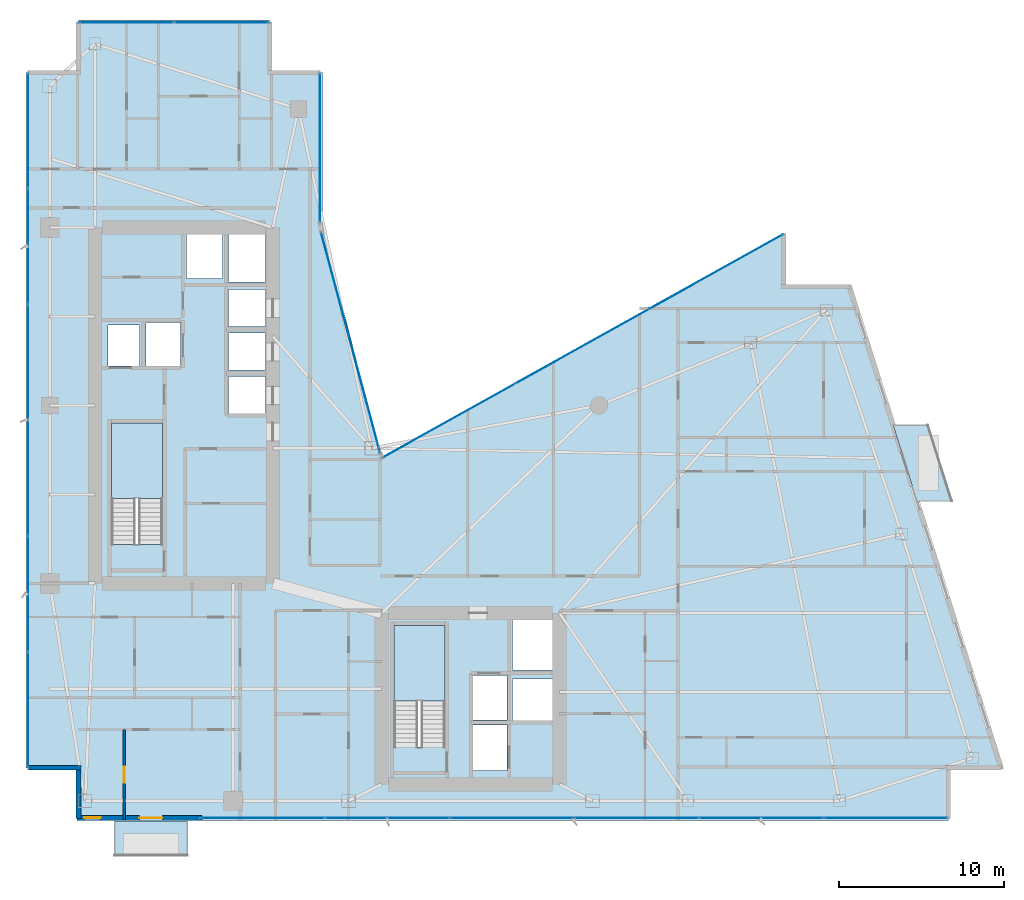
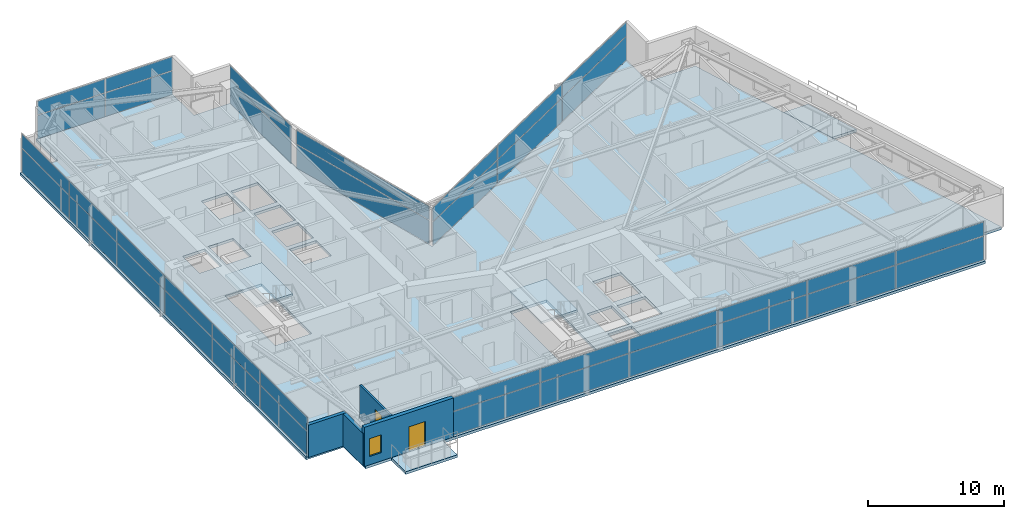
# One storey, part 21 of 28: 38 plates, 5 slabs, 4 walls, 2 doors, 1 window, 3 openings, 8 elements without a shape of their own.
"""IFC4 building model written with IfcOpenShell, lengths in metres."""

from ifc_helpers import new_model, si_unit, direction, frame, frame_2d, origin, origin_2d, place, context, subcontext, project, spatial, polyline, rectangle, outline, extrude, material, layer, layer_set, type_object, element, fill, aggregate, save


model = new_model("IFC4")

# Units and contexts
model_context = context("Model", 3, precision=1e-05, world=origin(), true_north=direction((0.0, 1.0)))
body_context = subcontext(model_context, "Body", "Model", "MODEL_VIEW")
ifc_project = project(units=[si_unit("LENGTHUNIT", "METRE"), si_unit("AREAUNIT", "SQUARE_METRE"), si_unit("VOLUMEUNIT", "CUBIC_METRE"), si_unit("PLANEANGLEUNIT", "RADIAN"), si_unit("MASSUNIT", "GRAM", prefix="KILO")], contexts=[model_context])

# Site, building, storey
site_placement = place(None, origin())
site = spatial("IfcSite", under=ifc_project, at=site_placement, CompositionType="ELEMENT")
building_placement = place(site_placement, origin())
building = spatial("IfcBuilding", under=site, at=building_placement, Name="Calvorn Quay Hotel", CompositionType="ELEMENT")
storey_placement = place(building_placement, frame((0.0, 0.0, 182.699951171875)))
storey = spatial("IfcBuildingStorey", under=building, at=storey_placement, Name="L45", CompositionType="ELEMENT", Elevation=182.699951171875)

# Curtain wall, plates
ifc_material_1 = material(Name="Pale Anodised Aluminium and Low-E Glass", Category="aluminium")
ifc_layer_1 = layer(ifc_material_1, 0.219970703125)
ifc_layer_set_1 = layer_set([ifc_layer_1], Name="CW-SYS-Z2")
curtain_wall_type = type_object("IfcCurtainWallType", Name="CW-SYS-Z2", PredefinedType="NOTDEFINED", material=ifc_layer_set_1)
curtain_wall_1_placement = place(storey_placement, origin())
curtain_wall_1 = element("IfcCurtainWall", 1, at=curtain_wall_1_placement, inside=storey, type_object=curtain_wall_type, Name="Tower West Curtain Wall (L45)", PredefinedType="NOTDEFINED")
ifc_material_2 = material(Name="Low-E Laminated Double Glazing", Category="glass")
ifc_layer_2 = layer(ifc_material_2, 0.028076171875)
ifc_layer_set_2 = layer_set([ifc_layer_2], Name="CW-SYS-Z2-PAN")
plate_type = type_object("IfcPlateType", Name="CW-SYS-Z2-PAN", PredefinedType="CURTAIN_PANEL", material=ifc_layer_set_2)
plate_1_placement = place(storey_placement, frame((0.14990234375, 9.131591796875, 0.06005859375), z_axis=(0.0, 0.0, 1.0), x_axis=(0.0, 1.0, 0.0)))
plate_1 = element("IfcPlate", 2, at=plate_1_placement, type_object=plate_type, Name="CW-L45-W panel 1.1", PredefinedType="CURTAIN_PANEL", context=body_context, shape_type="SweptSolid", body=[
    extrude(rectangle(XDim=6.943359375, YDim=0.028076171875, at=origin_2d()), origin(), (0.0, 0.0, 1.0), 2.110107421875),
])
plate_2_placement = place(storey_placement, frame((0.14990234375, 9.131591796875, 2.22998046875), z_axis=(0.0, 0.0, 1.0), x_axis=(0.0, 1.0, 0.0)))
plate_2 = element("IfcPlate", 3, at=plate_2_placement, type_object=plate_type, Name="CW-L45-W panel 1.2", PredefinedType="CURTAIN_PANEL", context=body_context, shape_type="SweptSolid", body=[
    extrude(rectangle(XDim=6.943359375, YDim=0.028076171875, at=origin_2d()), origin(), (0.0, 0.0, 1.0), 1.22998046875),
])
plate_3_placement = place(storey_placement, frame((0.14990234375, 16.14990234375, 0.06005859375), z_axis=(0.0, 0.0, 1.0), x_axis=(0.0, 1.0, 0.0)))
plate_3 = element("IfcPlate", 4, at=plate_3_placement, type_object=plate_type, Name="CW-L45-W panel 2.1", PredefinedType="CURTAIN_PANEL", context=body_context, shape_type="SweptSolid", body=[
    extrude(rectangle(XDim=6.973388671875, YDim=0.028076171875, at=origin_2d()), origin(), (0.0, 0.0, 1.0), 2.110107421875),
])
plate_4_placement = place(storey_placement, frame((0.14990234375, 16.14990234375, 2.22998046875), z_axis=(0.0, 0.0, 1.0), x_axis=(0.0, 1.0, 0.0)))
plate_4 = element("IfcPlate", 5, at=plate_4_placement, type_object=plate_type, Name="CW-L45-W panel 2.2", PredefinedType="CURTAIN_PANEL", context=body_context, shape_type="SweptSolid", body=[
    extrude(rectangle(XDim=6.973388671875, YDim=0.028076171875, at=origin_2d()), origin(), (0.0, 0.0, 1.0), 1.22998046875),
])
plate_5_placement = place(storey_placement, frame((0.14990234375, 23.183349609375, 0.06005859375), z_axis=(0.0, 0.0, 1.0), x_axis=(0.0, 1.0, 0.0)))
plate_5 = element("IfcPlate", 6, at=plate_5_placement, type_object=plate_type, Name="CW-L45-W panel 3.1", PredefinedType="CURTAIN_PANEL", context=body_context, shape_type="SweptSolid", body=[
    extrude(rectangle(XDim=6.973388671875, YDim=0.028076171875, at=origin_2d()), origin(), (0.0, 0.0, 1.0), 2.110107421875),
])
plate_6_placement = place(storey_placement, frame((0.14990234375, 23.183349609375, 2.22998046875), z_axis=(0.0, 0.0, 1.0), x_axis=(0.0, 1.0, 0.0)))
plate_6 = element("IfcPlate", 7, at=plate_6_placement, type_object=plate_type, Name="CW-L45-W panel 3.2", PredefinedType="CURTAIN_PANEL", context=body_context, shape_type="SweptSolid", body=[
    extrude(rectangle(XDim=6.973388671875, YDim=0.028076171875, at=origin_2d()), origin(), (0.0, 0.0, 1.0), 1.22998046875),
])
plate_7_placement = place(storey_placement, frame((0.14990234375, 30.216552734375, 0.06005859375), z_axis=(0.0, 0.0, 1.0), x_axis=(0.0, 1.0, 0.0)))
plate_7 = element("IfcPlate", 8, at=plate_7_placement, type_object=plate_type, Name="CW-L45-W panel 4.1", PredefinedType="CURTAIN_PANEL", context=body_context, shape_type="SweptSolid", body=[
    extrude(rectangle(XDim=6.973388671875, YDim=0.028076171875, at=origin_2d()), origin(), (0.0, 0.0, 1.0), 2.110107421875),
])
plate_8_placement = place(storey_placement, frame((0.14990234375, 30.216552734375, 2.22998046875), z_axis=(0.0, 0.0, 1.0), x_axis=(0.0, 1.0, 0.0)))
plate_8 = element("IfcPlate", 9, at=plate_8_placement, type_object=plate_type, Name="CW-L45-W panel 4.2", PredefinedType="CURTAIN_PANEL", context=body_context, shape_type="SweptSolid", body=[
    extrude(rectangle(XDim=6.973388671875, YDim=0.028076171875, at=origin_2d()), origin(), (0.0, 0.0, 1.0), 1.22998046875),
])
plate_9_placement = place(storey_placement, frame((0.14990234375, 37.25, 0.06005859375), z_axis=(0.0, 0.0, 1.0), x_axis=(0.0, 1.0, 0.0)))
plate_9 = element("IfcPlate", 10, at=plate_9_placement, type_object=plate_type, Name="CW-L45-W panel 5.1", PredefinedType="CURTAIN_PANEL", context=body_context, shape_type="SweptSolid", body=[
    extrude(rectangle(XDim=6.973388671875, YDim=0.028076171875, at=origin_2d()), origin(), (0.0, 0.0, 1.0), 2.110107421875),
])
plate_10_placement = place(storey_placement, frame((0.14990234375, 37.25, 2.22998046875), z_axis=(0.0, 0.0, 1.0), x_axis=(0.0, 1.0, 0.0)))
plate_10 = element("IfcPlate", 11, at=plate_10_placement, type_object=plate_type, Name="CW-L45-W panel 5.2", PredefinedType="CURTAIN_PANEL", context=body_context, shape_type="SweptSolid", body=[
    extrude(rectangle(XDim=6.973388671875, YDim=0.028076171875, at=origin_2d()), origin(), (0.0, 0.0, 1.0), 1.22998046875),
])
plate_11_placement = place(storey_placement, frame((0.14990234375, 44.268310546875, 0.06005859375), z_axis=(0.0, 0.0, 1.0), x_axis=(0.0, 1.0, 0.0)))
plate_11 = element("IfcPlate", 12, at=plate_11_placement, type_object=plate_type, Name="CW-L45-W panel 6.1", PredefinedType="CURTAIN_PANEL", context=body_context, shape_type="SweptSolid", body=[
    extrude(rectangle(XDim=6.943359375, YDim=0.028076171875, at=origin_2d()), origin(), (0.0, 0.0, 1.0), 2.110107421875),
])
plate_12_placement = place(storey_placement, frame((0.14990234375, 44.268310546875, 2.22998046875), z_axis=(0.0, 0.0, 1.0), x_axis=(0.0, 1.0, 0.0)))
plate_12 = element("IfcPlate", 13, at=plate_12_placement, type_object=plate_type, Name="CW-L45-W panel 6.2", PredefinedType="CURTAIN_PANEL", context=body_context, shape_type="SweptSolid", body=[
    extrude(rectangle(XDim=6.943359375, YDim=0.028076171875, at=origin_2d()), origin(), (0.0, 0.0, 1.0), 1.22998046875),
])
aggregate(curtain_wall_1, [plate_1, plate_2, plate_3, plate_4, plate_5, plate_6, plate_7, plate_8, plate_9, plate_10, plate_11, plate_12])

curtain_wall_2_placement = place(storey_placement, origin())
curtain_wall_2 = element("IfcCurtainWall", 14, at=curtain_wall_2_placement, inside=storey, type_object=curtain_wall_type, Name="Tower South Waterfront Curtain Wall (L45)", PredefinedType="NOTDEFINED")
plate_13_placement = place(storey_placement, frame((14.3984375, 2.550048828125, 0.06005859375), z_axis=(0.0, 0.0, 1.0), x_axis=(1.0, 0.0, 0.0)))
plate_13 = element("IfcPlate", 15, at=plate_13_placement, type_object=plate_type, Name="CW-L45-S panel 1.1", PredefinedType="CURTAIN_PANEL", context=body_context, shape_type="SweptSolid", body=[
    extrude(rectangle(XDim=7.4765625, YDim=0.028076171875, at=origin_2d()), origin(), (0.0, 0.0, 1.0), 2.110107421875),
])
plate_14_placement = place(storey_placement, frame((14.3984375, 2.550048828125, 2.22998046875), z_axis=(0.0, 0.0, 1.0), x_axis=(1.0, 0.0, 0.0)))
plate_14 = element("IfcPlate", 16, at=plate_14_placement, type_object=plate_type, Name="CW-L45-S panel 1.2", PredefinedType="CURTAIN_PANEL", context=body_context, shape_type="SweptSolid", body=[
    extrude(rectangle(XDim=7.4765625, YDim=0.028076171875, at=origin_2d()), origin(), (0.0, 0.0, 1.0), 1.22998046875),
])
plate_15_placement = place(storey_placement, frame((21.949951171875, 2.550048828125, 0.06005859375), z_axis=(0.0, 0.0, 1.0), x_axis=(1.0, 0.0, 0.0)))
plate_15 = element("IfcPlate", 17, at=plate_15_placement, type_object=plate_type, Name="CW-L45-S panel 2.1", PredefinedType="CURTAIN_PANEL", context=body_context, shape_type="SweptSolid", body=[
    extrude(rectangle(XDim=7.506591796875, YDim=0.028076171875, at=origin_2d()), origin(), (0.0, 0.0, 1.0), 2.110107421875),
])
plate_16_placement = place(storey_placement, frame((21.949951171875, 2.550048828125, 2.22998046875), z_axis=(0.0, 0.0, 1.0), x_axis=(1.0, 0.0, 0.0)))
plate_16 = element("IfcPlate", 18, at=plate_16_placement, type_object=plate_type, Name="CW-L45-S panel 2.2", PredefinedType="CURTAIN_PANEL", context=body_context, shape_type="SweptSolid", body=[
    extrude(rectangle(XDim=7.506591796875, YDim=0.028076171875, at=origin_2d()), origin(), (0.0, 0.0, 1.0), 1.22998046875),
])
plate_17_placement = place(storey_placement, frame((29.5166015625, 2.550048828125, 0.06005859375), z_axis=(0.0, 0.0, 1.0), x_axis=(1.0, 0.0, 0.0)))
plate_17 = element("IfcPlate", 19, at=plate_17_placement, type_object=plate_type, Name="CW-L45-S panel 3.1", PredefinedType="CURTAIN_PANEL", context=body_context, shape_type="SweptSolid", body=[
    extrude(rectangle(XDim=7.506591796875, YDim=0.028076171875, at=origin_2d()), origin(), (0.0, 0.0, 1.0), 2.110107421875),
])
plate_18_placement = place(storey_placement, frame((29.5166015625, 2.550048828125, 2.22998046875), z_axis=(0.0, 0.0, 1.0), x_axis=(1.0, 0.0, 0.0)))
plate_18 = element("IfcPlate", 20, at=plate_18_placement, type_object=plate_type, Name="CW-L45-S panel 3.2", PredefinedType="CURTAIN_PANEL", context=body_context, shape_type="SweptSolid", body=[
    extrude(rectangle(XDim=7.506591796875, YDim=0.028076171875, at=origin_2d()), origin(), (0.0, 0.0, 1.0), 1.22998046875),
])
plate_19_placement = place(storey_placement, frame((37.083251953125, 2.550048828125, 0.06005859375), z_axis=(0.0, 0.0, 1.0), x_axis=(1.0, 0.0, 0.0)))
plate_19 = element("IfcPlate", 21, at=plate_19_placement, type_object=plate_type, Name="CW-L45-S panel 4.1", PredefinedType="CURTAIN_PANEL", context=body_context, shape_type="SweptSolid", body=[
    extrude(rectangle(XDim=7.506591796875, YDim=0.028076171875, at=origin_2d()), origin(), (0.0, 0.0, 1.0), 2.110107421875),
])
plate_20_placement = place(storey_placement, frame((37.083251953125, 2.550048828125, 2.22998046875), z_axis=(0.0, 0.0, 1.0), x_axis=(1.0, 0.0, 0.0)))
plate_20 = element("IfcPlate", 22, at=plate_20_placement, type_object=plate_type, Name="CW-L45-S panel 4.2", PredefinedType="CURTAIN_PANEL", context=body_context, shape_type="SweptSolid", body=[
    extrude(rectangle(XDim=7.506591796875, YDim=0.028076171875, at=origin_2d()), origin(), (0.0, 0.0, 1.0), 1.22998046875),
])
plate_21_placement = place(storey_placement, frame((44.64990234375, 2.550048828125, 0.06005859375), z_axis=(0.0, 0.0, 1.0), x_axis=(1.0, 0.0, 0.0)))
plate_21 = element("IfcPlate", 23, at=plate_21_placement, type_object=plate_type, Name="CW-L45-S panel 5.1", PredefinedType="CURTAIN_PANEL", context=body_context, shape_type="SweptSolid", body=[
    extrude(rectangle(XDim=7.506591796875, YDim=0.028076171875, at=origin_2d()), origin(), (0.0, 0.0, 1.0), 2.110107421875),
])
plate_22_placement = place(storey_placement, frame((44.64990234375, 2.550048828125, 2.22998046875), z_axis=(0.0, 0.0, 1.0), x_axis=(1.0, 0.0, 0.0)))
plate_22 = element("IfcPlate", 24, at=plate_22_placement, type_object=plate_type, Name="CW-L45-S panel 5.2", PredefinedType="CURTAIN_PANEL", context=body_context, shape_type="SweptSolid", body=[
    extrude(rectangle(XDim=7.506591796875, YDim=0.028076171875, at=origin_2d()), origin(), (0.0, 0.0, 1.0), 1.22998046875),
])
plate_23_placement = place(storey_placement, frame((52.20166015625, 2.550048828125, 0.06005859375), z_axis=(0.0, 0.0, 1.0), x_axis=(1.0, 0.0, 0.0)))
plate_23 = element("IfcPlate", 25, at=plate_23_placement, type_object=plate_type, Name="CW-L45-S panel 6.1", PredefinedType="CURTAIN_PANEL", context=body_context, shape_type="SweptSolid", body=[
    extrude(rectangle(XDim=7.4765625, YDim=0.028076171875, at=origin_2d()), origin(), (0.0, 0.0, 1.0), 2.110107421875),
])
plate_24_placement = place(storey_placement, frame((52.20166015625, 2.550048828125, 2.22998046875), z_axis=(0.0, 0.0, 1.0), x_axis=(1.0, 0.0, 0.0)))
plate_24 = element("IfcPlate", 26, at=plate_24_placement, type_object=plate_type, Name="CW-L45-S panel 6.2", PredefinedType="CURTAIN_PANEL", context=body_context, shape_type="SweptSolid", body=[
    extrude(rectangle(XDim=7.4765625, YDim=0.028076171875, at=origin_2d()), origin(), (0.0, 0.0, 1.0), 1.22998046875),
])
aggregate(curtain_wall_2, [plate_13, plate_14, plate_15, plate_16, plate_17, plate_18, plate_19, plate_20, plate_21, plate_22, plate_23, plate_24])

curtain_wall_3_placement = place(storey_placement, origin())
curtain_wall_3 = element("IfcCurtainWall", 27, at=curtain_wall_3_placement, inside=storey, type_object=curtain_wall_type, Name="Inner Court Curtain Wall L45-NE1", PredefinedType="NOTDEFINED")
plate_25_placement = place(storey_placement, frame((41.920166015625, 35.72607421875, 0.06005859375), z_axis=(0.0, 0.0, 1.0), x_axis=(-0.873480989116, -0.486858256224, 0.0)))
plate_25 = element("IfcPlate", 28, at=plate_25_placement, type_object=plate_type, Name="CW-L45-NE1 panel 1.1", PredefinedType="CURTAIN_PANEL", context=body_context, shape_type="SweptSolid", body=[
    extrude(rectangle(XDim=9.221435546875, YDim=0.028076171875, at=origin_2d()), origin(), (0.0, 0.0, 1.0), 2.110107421875),
])
plate_26_placement = place(storey_placement, frame((41.920166015625, 35.72607421875, 2.22998046875), z_axis=(0.0, 0.0, 1.0), x_axis=(-0.873480989116, -0.486858256224, 0.0)))
plate_26 = element("IfcPlate", 29, at=plate_26_placement, type_object=plate_type, Name="CW-L45-NE1 panel 1.2", PredefinedType="CURTAIN_PANEL", context=body_context, shape_type="SweptSolid", body=[
    extrude(rectangle(XDim=9.221435546875, YDim=0.028076171875, at=origin_2d()), origin(), (0.0, 0.0, 1.0), 1.22998046875),
])
plate_27_placement = place(storey_placement, frame((33.800048828125, 31.199951171875, 0.06005859375), z_axis=(0.0, 0.0, 1.0), x_axis=(-0.873480989116, -0.486858256224, 0.0)))
plate_27 = element("IfcPlate", 30, at=plate_27_placement, type_object=plate_type, Name="CW-L45-NE1 panel 2.1", PredefinedType="CURTAIN_PANEL", context=body_context, shape_type="SweptSolid", body=[
    extrude(rectangle(XDim=9.25146484375, YDim=0.028076171875, at=origin_2d()), origin(), (0.0, 0.0, 1.0), 2.110107421875),
])
plate_28_placement = place(storey_placement, frame((33.800048828125, 31.199951171875, 2.22998046875), z_axis=(0.0, 0.0, 1.0), x_axis=(-0.873480989116, -0.486858256224, 0.0)))
plate_28 = element("IfcPlate", 31, at=plate_28_placement, type_object=plate_type, Name="CW-L45-NE1 panel 2.2", PredefinedType="CURTAIN_PANEL", context=body_context, shape_type="SweptSolid", body=[
    extrude(rectangle(XDim=9.25146484375, YDim=0.028076171875, at=origin_2d()), origin(), (0.0, 0.0, 1.0), 1.22998046875),
])
plate_29_placement = place(storey_placement, frame((25.6796875, 26.674072265625, 0.06005859375), z_axis=(0.0, 0.0, 1.0), x_axis=(-0.873480989116, -0.486858256224, 0.0)))
plate_29 = element("IfcPlate", 32, at=plate_29_placement, type_object=plate_type, Name="CW-L45-NE1 panel 3.1", PredefinedType="CURTAIN_PANEL", context=body_context, shape_type="SweptSolid", body=[
    extrude(rectangle(XDim=9.221435546875, YDim=0.028076171875, at=origin_2d()), origin(), (0.0, 0.0, 1.0), 2.110107421875),
])
plate_30_placement = place(storey_placement, frame((25.6796875, 26.674072265625, 2.22998046875), z_axis=(0.0, 0.0, 1.0), x_axis=(-0.873480989116, -0.486858256224, 0.0)))
plate_30 = element("IfcPlate", 33, at=plate_30_placement, type_object=plate_type, Name="CW-L45-NE1 panel 3.2", PredefinedType="CURTAIN_PANEL", context=body_context, shape_type="SweptSolid", body=[
    extrude(rectangle(XDim=9.221435546875, YDim=0.028076171875, at=origin_2d()), origin(), (0.0, 0.0, 1.0), 1.22998046875),
])
aggregate(curtain_wall_3, [plate_25, plate_26, plate_27, plate_28, plate_29, plate_30])

curtain_wall_4_placement = place(storey_placement, origin())
curtain_wall_4 = element("IfcCurtainWall", 34, at=curtain_wall_4_placement, inside=storey, type_object=curtain_wall_type, Name="Inner Court Curtain Wall L45-IC1", PredefinedType="NOTDEFINED")
plate_31_placement = place(storey_placement, frame((19.72509765625, 31.39990234375, 0.06005859375), z_axis=(0.0, 0.0, 1.0), x_axis=(-0.25877913024, 0.96593652056, 0.0)))
plate_31 = element("IfcPlate", 35, at=plate_31_placement, type_object=plate_type, Name="CW-L45-IC1 panel 1.1", PredefinedType="CURTAIN_PANEL", context=body_context, shape_type="SweptSolid", body=[
    extrude(rectangle(XDim=13.814697265625, YDim=0.028076171875, at=origin_2d()), origin(), (0.0, 0.0, 1.0), 2.110107421875),
])
plate_32_placement = place(storey_placement, frame((19.72509765625, 31.39990234375, 2.22998046875), z_axis=(0.0, 0.0, 1.0), x_axis=(-0.25877913024, 0.96593652056, 0.0)))
plate_32 = element("IfcPlate", 36, at=plate_32_placement, type_object=plate_type, Name="CW-L45-IC1 panel 1.2", PredefinedType="CURTAIN_PANEL", context=body_context, shape_type="SweptSolid", body=[
    extrude(rectangle(XDim=13.814697265625, YDim=0.028076171875, at=origin_2d()), origin(), (0.0, 0.0, 1.0), 1.22998046875),
])
aggregate(curtain_wall_4, [plate_31, plate_32])

curtain_wall_5_placement = place(storey_placement, origin())
curtain_wall_5 = element("IfcCurtainWall", 37, at=curtain_wall_5_placement, inside=storey, type_object=curtain_wall_type, Name="Inner Court Curtain Wall L45-IC2", PredefinedType="NOTDEFINED")
plate_33_placement = place(storey_placement, frame((17.85009765625, 43.239990234375, 0.06005859375), z_axis=(0.0, 0.0, 1.0), x_axis=(0.0, 1.0, 0.0)))
plate_33 = element("IfcPlate", 38, at=plate_33_placement, type_object=plate_type, Name="CW-L45-IC2 panel 1.1", PredefinedType="CURTAIN_PANEL", context=body_context, shape_type="SweptSolid", body=[
    extrude(rectangle(XDim=9.0, YDim=0.028076171875, at=origin_2d()), origin(), (0.0, 0.0, 1.0), 2.110107421875),
])
plate_34_placement = place(storey_placement, frame((17.85009765625, 43.239990234375, 2.22998046875), z_axis=(0.0, 0.0, 1.0), x_axis=(0.0, 1.0, 0.0)))
plate_34 = element("IfcPlate", 39, at=plate_34_placement, type_object=plate_type, Name="CW-L45-IC2 panel 1.2", PredefinedType="CURTAIN_PANEL", context=body_context, shape_type="SweptSolid", body=[
    extrude(rectangle(XDim=9.0, YDim=0.028076171875, at=origin_2d()), origin(), (0.0, 0.0, 1.0), 1.22998046875),
])
aggregate(curtain_wall_5, [plate_33, plate_34])

curtain_wall_6_placement = place(storey_placement, origin())
curtain_wall_6 = element("IfcCurtainWall", 40, at=curtain_wall_6_placement, inside=storey, type_object=curtain_wall_type, Name="Inner Court Curtain Wall L45-N1", PredefinedType="NOTDEFINED")
plate_35_placement = place(storey_placement, frame((11.885009765625, 50.85009765625, 0.06005859375), z_axis=(0.0, 0.0, 1.0), x_axis=(-1.0, 0.0, 0.0)))
plate_35 = element("IfcPlate", 41, at=plate_35_placement, type_object=plate_type, Name="CW-L45-N1 panel 1.1", PredefinedType="CURTAIN_PANEL", context=body_context, shape_type="SweptSolid", body=[
    extrude(rectangle(XDim=5.7099609375, YDim=0.028076171875, at=origin_2d()), origin(), (0.0, 0.0, 1.0), 2.110107421875),
])
plate_36_placement = place(storey_placement, frame((11.885009765625, 50.85009765625, 2.22998046875), z_axis=(0.0, 0.0, 1.0), x_axis=(-1.0, 0.0, 0.0)))
plate_36 = element("IfcPlate", 42, at=plate_36_placement, type_object=plate_type, Name="CW-L45-N1 panel 1.2", PredefinedType="CURTAIN_PANEL", context=body_context, shape_type="SweptSolid", body=[
    extrude(rectangle(XDim=5.7099609375, YDim=0.028076171875, at=origin_2d()), origin(), (0.0, 0.0, 1.0), 1.22998046875),
])
plate_37_placement = place(storey_placement, frame((6.114990234375, 50.85009765625, 0.06005859375), z_axis=(0.0, 0.0, 1.0), x_axis=(-1.0, 0.0, 0.0)))
plate_37 = element("IfcPlate", 43, at=plate_37_placement, type_object=plate_type, Name="CW-L45-N1 panel 2.1", PredefinedType="CURTAIN_PANEL", context=body_context, shape_type="SweptSolid", body=[
    extrude(rectangle(XDim=5.7099609375, YDim=0.028076171875, at=origin_2d()), origin(), (0.0, 0.0, 1.0), 2.110107421875),
])
plate_38_placement = place(storey_placement, frame((6.114990234375, 50.85009765625, 2.22998046875), z_axis=(0.0, 0.0, 1.0), x_axis=(-1.0, 0.0, 0.0)))
plate_38 = element("IfcPlate", 44, at=plate_38_placement, type_object=plate_type, Name="CW-L45-N1 panel 2.2", PredefinedType="CURTAIN_PANEL", context=body_context, shape_type="SweptSolid", body=[
    extrude(rectangle(XDim=5.7099609375, YDim=0.028076171875, at=origin_2d()), origin(), (0.0, 0.0, 1.0), 1.22998046875),
])
aggregate(curtain_wall_6, [plate_35, plate_36, plate_37, plate_38])

# Slabs
ifc_material_3 = material(Name="Concrete C40", Category="concrete")
ifc_layer_3 = layer(ifc_material_3, 0.239990234375)
ifc_layer_set_3 = layer_set([ifc_layer_3], Name="SLB-BALCONY-220")
slab_type_1 = type_object("IfcSlabType", Name="SLB-BALCONY-220", PredefinedType="FLOOR", material=ifc_layer_set_3)
slab_1_placement = place(storey_placement, frame((0.0, 0.0, -0.239990234375)))
element("IfcSlab", 45, at=slab_1_placement, inside=storey, type_object=slab_type_1, Name="Tree Balcony Slab L45-BALC-E", PredefinedType="FLOOR", context=body_context, shape_type="SweptSolid", body=[
    extrude(outline(polyline([(54.10595703125, 21.800048828125), (56.2060546875, 21.800048828125), (54.757080078125, 26.39990234375), (52.656982421875, 26.39990234375), (54.10595703125, 21.800048828125)])), origin(), (0.0, 0.0, 1.0), 0.239990234375),
])
slab_2_placement = place(storey_placement, frame((0.0, 0.0, -0.239990234375)))
element("IfcSlab", 46, at=slab_2_placement, inside=storey, type_object=slab_type_1, Name="Tree Balcony Slab L45-BALC-S", PredefinedType="FLOOR", context=body_context, shape_type="SweptSolid", body=[
    extrude(outline(polyline([(5.39990234375, 0.2900390625), (9.800048828125, 0.2900390625), (9.800048828125, 2.389892578125), (5.39990234375, 2.389892578125), (5.39990234375, 0.2900390625)])), origin(), (0.0, 0.0, 1.0), 0.239990234375),
])

# Stair, slab
ifc_material_4 = material(Name="Concrete C40", Category="concrete")
stair_type = type_object("IfcStairType", Name="STR-CORE-DOGLEG", PredefinedType="HALF_TURN_STAIR", material=ifc_material_4)
stair_1_placement = place(storey_placement, origin())
stair_1 = element("IfcStair", 47, at=stair_1_placement, inside=storey, type_object=stair_type, Name="L45 ST-W", PredefinedType="HALF_TURN_STAIR")
ifc_material_5 = material(Name="Concrete C40", Category="concrete")
ifc_layer_4 = layer(ifc_material_5, 0.199951171875)
ifc_layer_set_4 = layer_set([ifc_layer_4], Name="SLB-STAIR-LANDING-200")
slab_type_2 = type_object("IfcSlabType", Name="SLB-STAIR-LANDING-200", PredefinedType="LANDING", material=ifc_layer_set_4)
slab_3_placement = place(storey_placement, frame((0.0, 0.0, 1.699951171875)))
slab_3 = element("IfcSlab", 48, at=slab_3_placement, type_object=slab_type_2, Name="ST-W landing 1", PredefinedType="LANDING", context=body_context, shape_type="SweptSolid", body=[
    extrude(outline(polyline([(8.300048828125, 21.949951171875), (8.300048828125, 26.550048828125), (5.199951171875, 26.550048828125), (5.199951171875, 21.949951171875), (8.300048828125, 21.949951171875)])), origin(), (0.0, 0.0, 1.0), 0.2001953125),
])
aggregate(stair_1, [slab_3])

stair_2_placement = place(storey_placement, origin())
stair_2 = element("IfcStair", 49, at=stair_2_placement, inside=storey, type_object=stair_type, Name="L45 ST-E", PredefinedType="HALF_TURN_STAIR")
slab_4_placement = place(storey_placement, frame((0.0, 0.0, 1.699951171875)))
slab_4 = element("IfcSlab", 50, at=slab_4_placement, type_object=slab_type_2, Name="ST-E landing 1", PredefinedType="LANDING", context=body_context, shape_type="SweptSolid", body=[
    extrude(outline(polyline([(25.449951171875, 9.64990234375), (25.449951171875, 14.25), (22.35009765625, 14.25), (22.35009765625, 9.64990234375), (25.449951171875, 9.64990234375)])), origin(), (0.0, 0.0, 1.0), 0.2001953125),
])
aggregate(stair_2, [slab_4])

# Slab
ifc_material_6 = material(Name="Concrete C40", Category="concrete")
ifc_layer_5 = layer(ifc_material_6, 0.239990234375)
ifc_layer_set_5 = layer_set([ifc_layer_5], Name="SLB-TOWER-240")
slab_type_3 = type_object("IfcSlabType", Name="SLB-TOWER-240", PredefinedType="FLOOR", material=ifc_layer_set_5)
slab_5_placement = place(storey_placement, frame((0.0, 0.0, -0.239990234375)))
element("IfcSlab", 51, at=slab_5_placement, inside=storey, type_object=slab_type_3, Name="L45 Structural Floor Slab", PredefinedType="FLOOR", context=body_context, shape_type="SweptSolid", body=[
    extrude(outline(polyline([(0.0, 5.60009765625), (3.199951171875, 5.60009765625), (3.199951171875, 2.39990234375), (56.0, 2.39990234375), (56.0, 5.60009765625), (59.199951171875, 5.60009765625), (50.0, 34.800048828125), (46.0, 34.800048828125), (46.0, 38.0), (21.60009765625, 24.39990234375), (18.0, 38.39990234375), (18.0, 47.800048828125), (14.800048828125, 47.800048828125), (14.800048828125, 51.0), (3.199951171875, 51.0), (3.199951171875, 47.800048828125), (0.0, 47.800048828125), (0.0, 5.60009765625)]), holes=[polyline([(5.199951171875, 19.156005859375), (8.300048828125, 19.156005859375), (8.300048828125, 26.550048828125), (5.199951171875, 26.550048828125), (5.199951171875, 19.156005859375)]), polyline([(22.35009765625, 6.85595703125), (25.449951171875, 6.85595703125), (25.449951171875, 14.25), (22.35009765625, 14.25), (22.35009765625, 6.85595703125)]), polyline([(5.0, 30.0), (6.89990234375, 30.0), (6.89990234375, 32.5), (5.0, 32.5), (5.0, 30.0)]), polyline([(7.300048828125, 30.0), (9.39990234375, 30.0), (9.39990234375, 32.64990234375), (7.300048828125, 32.64990234375), (7.300048828125, 30.0)]), polyline([(27.159912109375, 8.5), (29.2099609375, 8.5), (29.2099609375, 11.199951171875), (27.159912109375, 11.199951171875), (27.159912109375, 8.5)]), polyline([(27.159912109375, 5.449951171875), (29.2099609375, 5.449951171875), (29.2099609375, 8.199951171875), (27.159912109375, 8.199951171875), (27.159912109375, 5.449951171875)]), polyline([(12.300048828125, 27.10009765625), (14.56494140625, 27.10009765625), (14.56494140625, 29.35009765625), (12.300048828125, 29.35009765625), (12.300048828125, 27.10009765625)]), polyline([(12.300048828125, 29.75), (14.56494140625, 29.75), (14.56494140625, 32.0), (12.300048828125, 32.0), (12.300048828125, 29.75)]), polyline([(12.300048828125, 32.39990234375), (14.56494140625, 32.39990234375), (14.56494140625, 34.64990234375), (12.300048828125, 34.64990234375), (12.300048828125, 32.39990234375)]), polyline([(12.300048828125, 35.10009765625), (14.56494140625, 35.10009765625), (14.56494140625, 37.965087890625), (12.300048828125, 37.965087890625), (12.300048828125, 35.10009765625)]), polyline([(9.75, 35.300048828125), (11.949951171875, 35.300048828125), (11.949951171875, 37.965087890625), (9.75, 37.965087890625), (9.75, 35.300048828125)]), polyline([(29.550048828125, 11.550048828125), (31.965087890625, 11.550048828125), (31.965087890625, 14.56494140625), (29.550048828125, 14.56494140625), (29.550048828125, 11.550048828125)]), polyline([(29.550048828125, 8.449951171875), (31.965087890625, 8.449951171875), (31.965087890625, 11.0), (29.550048828125, 11.0), (29.550048828125, 8.449951171875)])]), origin(), (0.0, 0.0, 1.0), 0.239990234375),
])

# Wall, openings, door, window
ifc_material_7 = material(Name="Concrete C40", Category="concrete")
ifc_layer_6 = layer(ifc_material_7, 0.320068359375)
ifc_layer_set_6 = layer_set([ifc_layer_6], Name="WL-EXT-SPANDREL-320")
wall_type_1 = type_object("IfcWallType", Name="WL-EXT-SPANDREL-320", PredefinedType="SOLIDWALL", material=ifc_layer_set_6)
wall_1_placement = place(storey_placement, frame((3.10009765625, 2.56005859375, 0.0), z_axis=(0.0, 0.0, 1.0), x_axis=(1.0, 0.0, 0.0)))
wall_1 = element("IfcWall", 52, at=wall_1_placement, inside=storey, type_object=wall_type_1, Name="South Balcony Exterior Wall (L45)", PredefinedType="SOLIDWALL", context=body_context, shape_type="SweptSolid", body=[
    extrude(rectangle(XDim=7.599853515625, YDim=0.320068359375, at=frame_2d((3.7998046875, 0.0))), origin(), (0.0, 0.0, 1.0), 3.52001953125),
])
opening_1_placement = place(wall_1_placement, frame((0.449951171875, 0.0, 0.75)))
opening_1 = element("IfcOpeningElement", 53, at=opening_1_placement, cuts=wall_1, Name="Opening WSB-L45-1", PredefinedType="OPENING", context=body_context, shape_type="SweptSolid", body=[
    extrude(rectangle(XDim=1.0, YDim=1.60009765625, at=frame_2d((0.5, 0.800048828125))), frame((0.0, 0.169921875, 0.0), z_axis=(0.0, -1.0, 0.0), x_axis=(1.0, 0.0, 0.0)), (0.0, 0.0, 1.0), 0.340087890625),
])
opening_2_placement = place(wall_1_placement, frame((3.800048828125, 0.0, 0.0)))
opening_2 = element("IfcOpeningElement", 54, at=opening_2_placement, cuts=wall_1, Name="Opening DB-L45-2", PredefinedType="OPENING", context=body_context, shape_type="SweptSolid", body=[
    extrude(rectangle(XDim=1.39990234375, YDim=2.25, at=frame_2d((0.699951171875, 1.125))), frame((0.0, 0.169921875, 0.0), z_axis=(0.0, -1.0, 0.0), x_axis=(1.0, 0.0, 0.0)), (0.0, 0.0, 1.0), 0.340087890625),
])
ifc_material_8 = material(Name="Typhoon-Rated Low-E Aluminium Terrace Door", Category="aluminium")
door_type_1 = type_object("IfcDoorType", Name="DR-BALCONY-GLZ-1400", OperationType="NOTDEFINED", PredefinedType="DOOR", material=ifc_material_8)
door_1_placement = place(opening_2_placement, origin())
door_1 = element("IfcDoor", 55, at=door_1_placement, inside=storey, type_object=door_type_1, Name="Tree Balcony Terrace Door L45-BALC-S", OperationType="SINGLE_SWING_LEFT", OverallHeight=2.25, OverallWidth=1.39990234375, PredefinedType="DOOR", context=body_context, shape_type="SweptSolid", body=[
    extrude(rectangle(XDim=1.39990234375, YDim=2.25, at=frame_2d((0.699951171875, 1.125))), frame((0.0, 0.02490234375, 0.0), z_axis=(0.0, -1.0, 0.0), x_axis=(1.0, 0.0, 0.0)), (0.0, 0.0, 1.0), 0.050048828125),
])
fill(opening_2, door_1)
ifc_material_9 = material(Name="Self-Closing Class B Side Fire Window")
window_type = type_object("IfcWindowType", Name="WIN-REFUGE-NARROW-1000x1600", PartitioningType="SINGLE_PANEL", PredefinedType="WINDOW", material=ifc_material_9)
window_placement = place(opening_1_placement, origin())
window = element("IfcWindow", 56, at=window_placement, inside=storey, type_object=window_type, Name="South Waterfront Side Window (L45)", OverallHeight=1.60009765625, OverallWidth=1.0, PartitioningType="SINGLE_PANEL", PredefinedType="WINDOW", context=body_context, shape_type="SweptSolid", body=[
    extrude(rectangle(XDim=1.0, YDim=1.60009765625, at=frame_2d((0.5, 0.800048828125))), frame((0.0, 0.030029296875, 0.0), z_axis=(0.0, -1.0, 0.0), x_axis=(1.0, 0.0, 0.0)), (0.0, 0.0, 1.0), 0.06005859375),
])
fill(opening_1, window)

# Walls
wall_2_placement = place(storey_placement, frame((0.1201171875, 5.60009765625, 0.0), z_axis=(0.0, 0.0, 1.0), x_axis=(1.0, 0.0, 0.0)))
element("IfcWall", 57, at=wall_2_placement, inside=storey, type_object=wall_type_1, Name="Notched Corner Spandrel L45-SW1", PredefinedType="SOLIDWALL", context=body_context, shape_type="SweptSolid", body=[
    extrude(rectangle(XDim=3.219970703125, YDim=0.280029296875, at=frame_2d((1.60986328125, 0.0))), origin(), (0.0, 0.0, 1.0), 2.920166015625),
])
wall_3_placement = place(storey_placement, frame((3.199951171875, 5.4599609375, 0.0), z_axis=(0.0, 0.0, 1.0), x_axis=(0.0, -1.0, 0.0)))
element("IfcWall", 58, at=wall_3_placement, inside=storey, type_object=wall_type_1, Name="Notched Corner Spandrel L45-SW2", PredefinedType="SOLIDWALL", context=body_context, shape_type="SweptSolid", body=[
    extrude(rectangle(XDim=2.93994140625, YDim=0.280029296875, at=frame_2d((1.469970703125, 0.0))), origin(), (0.0, 0.0, 1.0), 2.920166015625),
])

# Wall, opening, door
ifc_material_10 = material(Name="Double-Stud Acoustic Gypsum Partition")
ifc_layer_7 = layer(ifc_material_10, 0.159912109375)
ifc_layer_set_7 = layer_set([ifc_layer_7], Name="WL-INTERSUITE-160")
wall_type_2 = type_object("IfcWallType", Name="WL-INTERSUITE-160", PredefinedType="PARTITIONING", material=ifc_layer_set_7)
wall_4_placement = place(storey_placement, frame((5.97998046875, 2.43994140625, 0.0), z_axis=(0.0, 0.0, 1.0), x_axis=(0.0, 1.0, 0.0)))
wall_4 = element("IfcWall", 59, at=wall_4_placement, inside=storey, type_object=wall_type_2, Name="Partition Wall L45-WL-U01-MSP", PredefinedType="PARTITIONING", context=body_context, shape_type="SweptSolid", body=[
    extrude(rectangle(XDim=5.47998046875, YDim=0.159912109375, at=frame_2d((2.739990234375, 0.0))), origin(), (0.0, 0.0, 1.0), 3.02001953125),
])
opening_3_placement = place(wall_4_placement, frame((2.260009765625, 0.0, 0.0)))
opening_3 = element("IfcOpeningElement", 60, at=opening_3_placement, cuts=wall_4, Name="Opening D-L45-M01", PredefinedType="OPENING", context=body_context, shape_type="SweptSolid", body=[
    extrude(rectangle(XDim=0.9599609375, YDim=2.199951171875, at=frame_2d((0.47998046875, 1.10009765625))), frame((0.0, 0.08984375, 0.0), z_axis=(0.0, -1.0, 0.0), x_axis=(1.0, 0.0, 0.0)), (0.0, 0.0, 1.0), 0.179931640625),
])
ifc_material_11 = material(Name="Solid Timber Internal Suite Door", Category="wood")
door_type_2 = type_object("IfcDoorType", Name="DR-SUITE-INT-960", OperationType="NOTDEFINED", PredefinedType="DOOR", material=ifc_material_11)
door_2_placement = place(opening_3_placement, origin())
door_2 = element("IfcDoor", 61, at=door_2_placement, inside=storey, type_object=door_type_2, Name="Suite Bedroom Door 01", OperationType="SINGLE_SWING_LEFT", OverallHeight=2.199951171875, OverallWidth=0.9599609375, PredefinedType="DOOR", context=body_context, shape_type="SweptSolid", body=[
    extrude(rectangle(XDim=0.9599609375, YDim=2.199951171875, at=frame_2d((0.47998046875, 1.10009765625))), frame((0.0, 0.02490234375, 0.0), z_axis=(0.0, -1.0, 0.0), x_axis=(1.0, 0.0, 0.0)), (0.0, 0.0, 1.0), 0.050048828125),
])
fill(opening_3, door_2)

save(model, "model.ifc")
